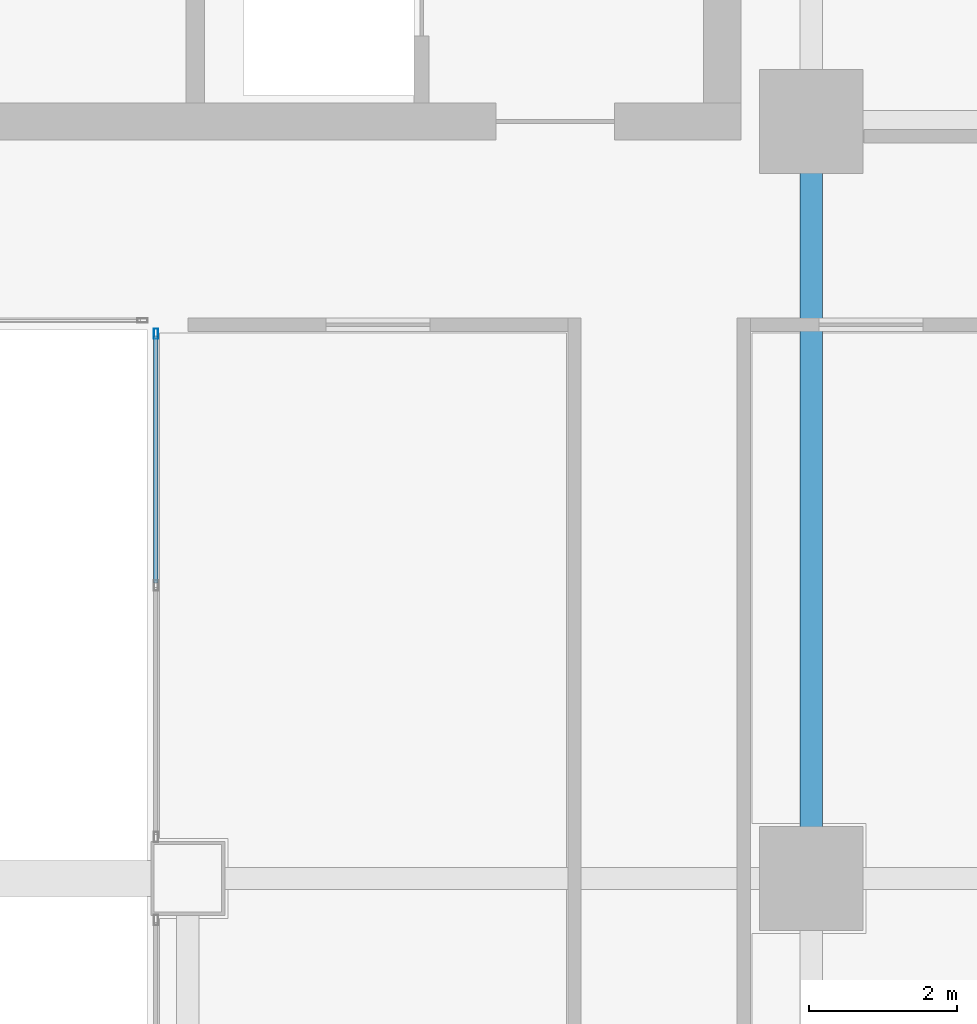
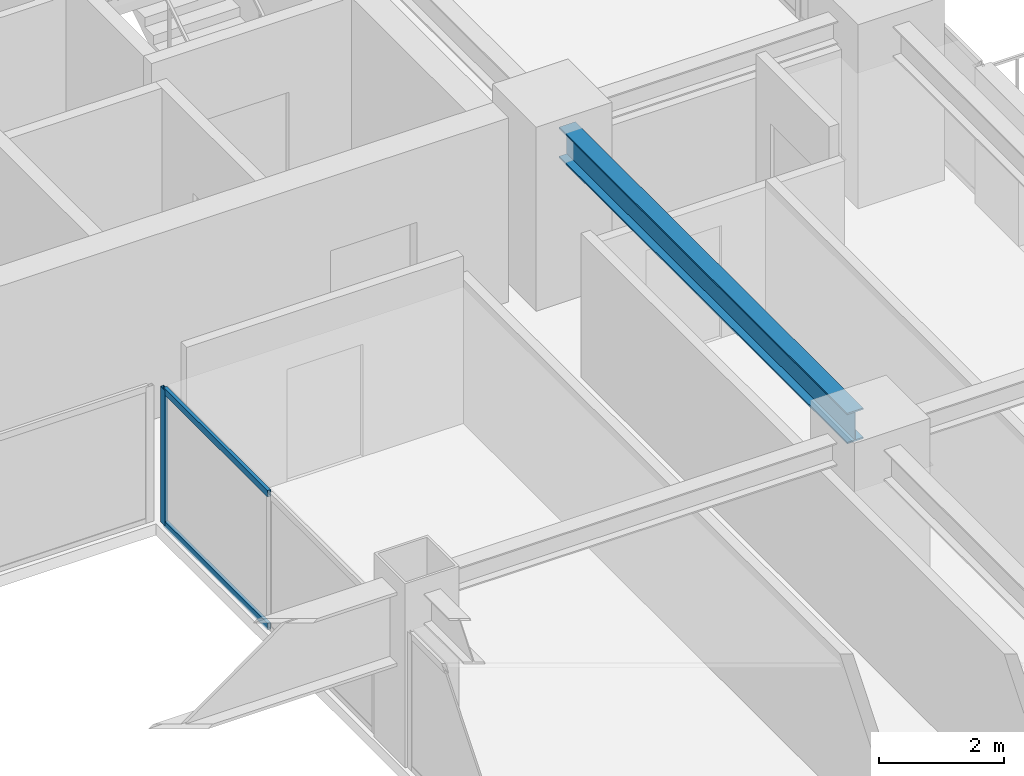
# One storey, part 18 of 32: 3 members, 1 beam, 1 element without a shape of its own.
"""IFC4 building model written with IfcOpenShell, lengths in metres."""

from ifc_helpers import new_model, si_unit, direction, frame, origin, origin_2d, place, context, subcontext, project, spatial, hollow_rectangle, i_section, extrude, source, transform, mapped, material, layer, layer_set, material_profile, profile_set, type_object, element, aggregate, save


model = new_model("IFC4")

# Units and contexts
model_context = context("Model", 3, precision=1e-05, world=origin(), true_north=direction((0.0, 1.0)))
body_context = subcontext(model_context, "Body", "Model", "MODEL_VIEW")
ifc_project = project(units=[si_unit("LENGTHUNIT", "METRE"), si_unit("AREAUNIT", "SQUARE_METRE"), si_unit("VOLUMEUNIT", "CUBIC_METRE"), si_unit("PLANEANGLEUNIT", "RADIAN"), si_unit("MASSUNIT", "GRAM", prefix="KILO")], contexts=[model_context])

# Site, building, storey
site_placement = place(None, origin())
site = spatial("IfcSite", under=ifc_project, at=site_placement, CompositionType="ELEMENT")
building_placement = place(site_placement, origin())
building = spatial("IfcBuilding", under=site, at=building_placement, Name="Sumidabori Civic Tower", CompositionType="ELEMENT")
storey_placement = place(building_placement, frame((0.0, 0.0, 225.199951171875)))
storey = spatial("IfcBuildingStorey", under=building, at=storey_placement, Name="L58", CompositionType="ELEMENT", Elevation=225.199951171875)

# Beam
ifc_material_1 = material(Name="Steel SN490", Category="steel")
ifc_material_profile_1 = material_profile(ifc_material_1, i_section(OverallWidth=0.300048828125, OverallDepth=0.60009765625, WebThickness=0.015380859375, FlangeThickness=0.030029296875, at=origin_2d()), Name="HE 600 B")
ifc_profile_set_1 = profile_set([ifc_material_profile_1], Name="Steel SN490")
beam_type = type_object("IfcBeamType", Name="BM-GIRD-600", PredefinedType="BEAM", material=ifc_profile_set_1)
shared_shape_1 = source(origin(), body_context, "Body", "SweptSolid", [
    extrude(i_section(OverallWidth=0.300048828125, OverallDepth=0.60009765625, WebThickness=0.015380859375, FlangeThickness=0.030029296875, at=origin_2d()), origin(), (0.0, 0.0, 1.0), 9.239990234375),
])
beam_placement = place(storey_placement, frame((16.800048828125, 0.47998046875, 2.97998046875), z_axis=(0.0, 1.0, 0.0), x_axis=(-1.0, 0.0, 0.0)))
element("IfcBeam", 1, at=beam_placement, inside=storey, type_object=beam_type, Name="Primary Girder L58 GY-20", PredefinedType="BEAM", context=body_context, shape_type="MappedRepresentation", body=[
    mapped(shared_shape_1, transform((0.0, 0.0, 0.0), x_axis=(1.0, 0.0, 0.0), y_axis=(0.0, 1.0, 0.0), z_axis=(0.0, 0.0, 1.0), scale=1.0)),
])

# Curtain wall, members
ifc_material_2 = material(Name="Anodised Bronze Aluminium AW-6063-T6", Category="aluminium")
ifc_layer = layer(ifc_material_2, 0.179931640625, Name="Anodised Bronze Aluminium AW-6063-T6")
ifc_layer_set = layer_set([ifc_layer], Name="Anodised Bronze Aluminium AW-6063-T6")
curtain_wall_type = type_object("IfcCurtainWallType", Name="CW-SYS-4", PredefinedType="NOTDEFINED", material=ifc_layer_set)
curtain_wall_placement = place(storey_placement, origin())
curtain_wall = element("IfcCurtainWall", 2, at=curtain_wall_placement, inside=storey, type_object=curtain_wall_type, Name="Curtain Wall CW:L58:R06", PredefinedType="NOTDEFINED")
ifc_material_profile_2 = material_profile(ifc_material_2, hollow_rectangle(XDim=0.06005859375, YDim=0.1298828125, WallThickness=0.0048828125, at=origin_2d()), Name="ALU TRANSOM 130x60")
ifc_profile_set_2 = profile_set([ifc_material_profile_2], Name="Anodised Bronze Aluminium AW-6063-T6")
member_type_1 = type_object("IfcMemberType", Name="CW-TRN-130", PredefinedType="USERDEFINED", material=ifc_profile_set_2)
shared_shape_2 = source(origin(), body_context, "Body", "SweptSolid", [
    extrude(hollow_rectangle(XDim=0.06005859375, YDim=0.1298828125, WallThickness=0.0048828125, at=origin_2d()), origin(), (0.0, 0.0, 1.0), 3.330078125),
])
member_1_placement = place(storey_placement, frame((7.969970703125, 7.31005859375, 0.030029296875), z_axis=(0.0, -1.0, 0.0), x_axis=(1.0, 0.0, 0.0)))
member_1 = element("IfcMember", 3, at=member_1_placement, type_object=member_type_1, Name="CW-4 transom 1.1", ObjectType="TRANSOM", PredefinedType="USERDEFINED", context=body_context, shape_type="MappedRepresentation", body=[
    mapped(shared_shape_2, transform((0.0, 0.0, 0.0), x_axis=(1.0, 0.0, 0.0), y_axis=(0.0, 1.0, 0.0), z_axis=(0.0, 0.0, 1.0), scale=1.0)),
])
member_2_placement = place(storey_placement, frame((7.969970703125, 7.31005859375, 2.630126953125), z_axis=(0.0, -1.0, 0.0), x_axis=(1.0, 0.0, 0.0)))
member_2 = element("IfcMember", 4, at=member_2_placement, type_object=member_type_1, Name="CW-4 transom 1.2", ObjectType="TRANSOM", PredefinedType="USERDEFINED", context=body_context, shape_type="MappedRepresentation", body=[
    mapped(shared_shape_2, transform((0.0, 0.0, 0.0), x_axis=(1.0, 0.0, 0.0), y_axis=(0.0, 1.0, 0.0), z_axis=(0.0, 0.0, 1.0), scale=1.0)),
])
ifc_material_profile_3 = material_profile(ifc_material_2, hollow_rectangle(XDim=0.06005859375, YDim=0.139892578125, WallThickness=0.0048828125, at=origin_2d()), Name="ALU MULLION 140x60")
ifc_profile_set_3 = profile_set([ifc_material_profile_3], Name="Anodised Bronze Aluminium AW-6063-T6")
member_type_2 = type_object("IfcMemberType", Name="CW-MUL-140", PredefinedType="MULLION", material=ifc_profile_set_3)
shared_shape_3 = source(origin(), body_context, "Body", "SweptSolid", [
    extrude(hollow_rectangle(XDim=0.06005859375, YDim=0.139892578125, WallThickness=0.0048828125, at=origin_2d()), origin(), (0.0, 0.0, 1.0), 2.66015625),
])
member_3_placement = place(storey_placement, frame((7.969970703125, 7.340087890625, 0.0), z_axis=(0.0, 0.0, 1.0), x_axis=(1.0, 0.0, 0.0)))
member_3 = element("IfcMember", 5, at=member_3_placement, type_object=member_type_2, Name="CW-4 mullion 1", PredefinedType="MULLION", context=body_context, shape_type="MappedRepresentation", body=[
    mapped(shared_shape_3, transform((0.0, 0.0, 0.0), x_axis=(1.0, 0.0, 0.0), y_axis=(0.0, 1.0, 0.0), z_axis=(0.0, 0.0, 1.0), scale=1.0)),
])
aggregate(curtain_wall, [member_3, member_1, member_2])

save(model, "model.ifc")
